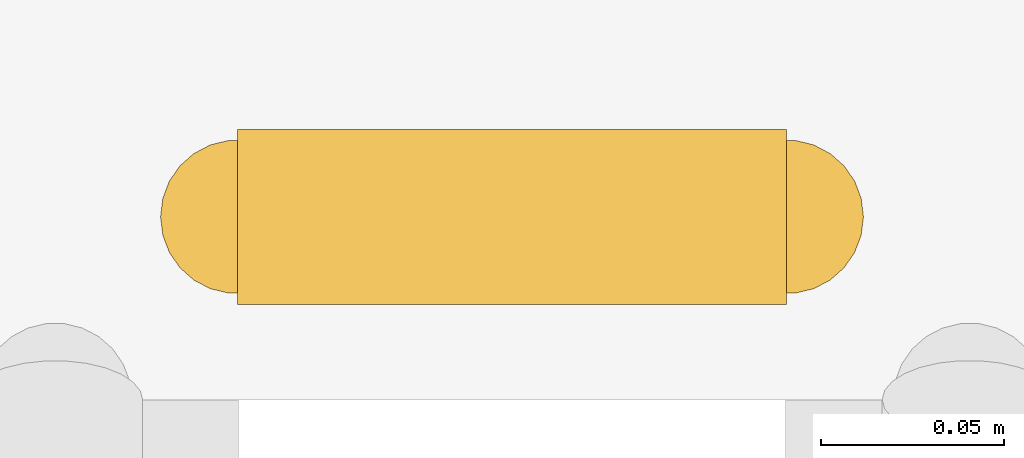
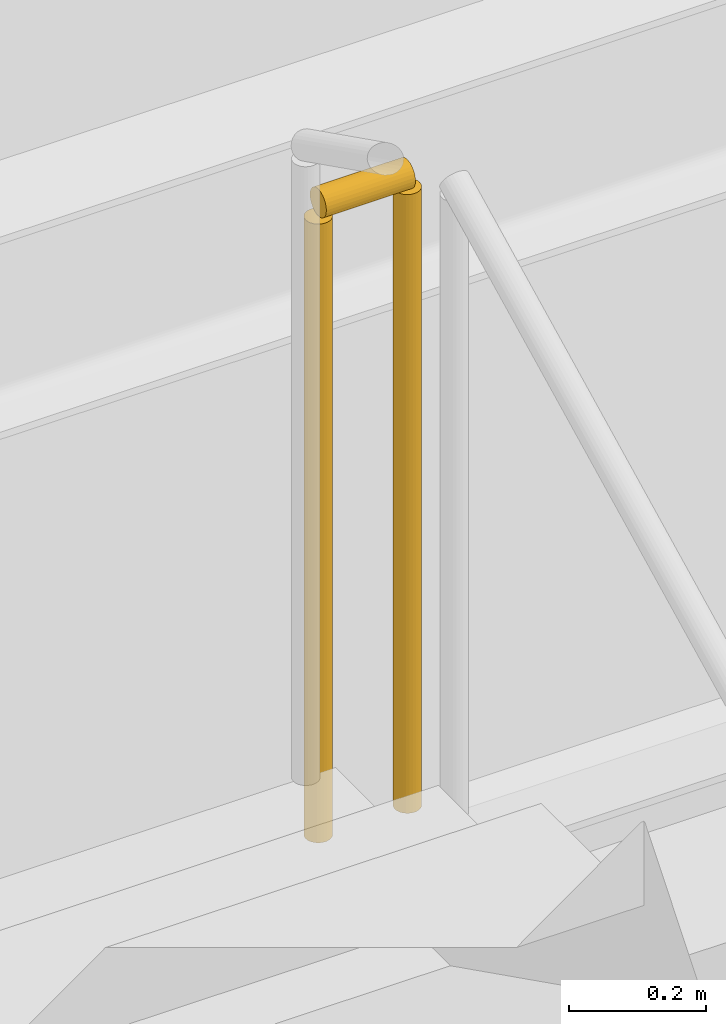
# One storey, part 31 of 35: 1 railing.
"""IFC4 building model written with IfcOpenShell, lengths in metres."""

from ifc_helpers import new_model, si_unit, direction, frame, origin, origin_2d, place, context, subcontext, project, spatial, circle, extrude, material, type_object, element, save


model = new_model("IFC4")

# Units and contexts
model_context = context("Model", 3, precision=1e-05, world=origin(), true_north=direction((0.0, 1.0)))
body_context = subcontext(model_context, "Body", "Model", "MODEL_VIEW")
ifc_project = project(units=[si_unit("LENGTHUNIT", "METRE"), si_unit("AREAUNIT", "SQUARE_METRE"), si_unit("VOLUMEUNIT", "CUBIC_METRE"), si_unit("PLANEANGLEUNIT", "RADIAN"), si_unit("MASSUNIT", "GRAM", prefix="KILO")], contexts=[model_context])

# Site, building, storey
site_placement = place(None, origin())
site = spatial("IfcSite", under=ifc_project, at=site_placement, CompositionType="ELEMENT")
building_placement = place(site_placement, origin())
building = spatial("IfcBuilding", under=site, at=building_placement, Name="Punatoya Terracotta Tower", CompositionType="ELEMENT")
storey_placement = place(building_placement, frame((0.0, 0.0, 16.800048828125)))
storey = spatial("IfcBuildingStorey", under=building, at=storey_placement, Name="L03", CompositionType="ELEMENT", Elevation=16.800048828125)

# Railing
ifc_material = material(Name="Steel S355", Category="steel")
railing_type = type_object("IfcRailingType", Name="RLG-GRD-1150", PredefinedType="GUARDRAIL", material=ifc_material)
railing_placement = place(storey_placement, frame((8.050048828125, 1.35009765625, 2.699951171875)))
element("IfcRailing", 1, at=railing_placement, inside=storey, type_object=railing_type, Name="L03 ST-2 stair guard 2", PredefinedType="GUARDRAIL", context=body_context, shape_type="SweptSolid", body=[
    extrude(circle(Radius=0.02392578125, at=origin_2d()), frame((0.0, 0.0, 1.1259765625), z_axis=(-1.0, 0.0, 0.0), x_axis=(0.0, -1.0, 0.0)), (0.0, 0.0, 1.0), 0.150146484375),
    extrude(circle(Radius=0.02099609375, at=origin_2d()), origin(), (0.0, 0.0, 1.0), 1.101806640625),
    extrude(circle(Radius=0.02099609375, at=origin_2d()), frame((-0.150146484375, 0.0, 0.0)), (0.0, 0.0, 1.0), 1.101806640625),
])

save(model, "model.ifc")
